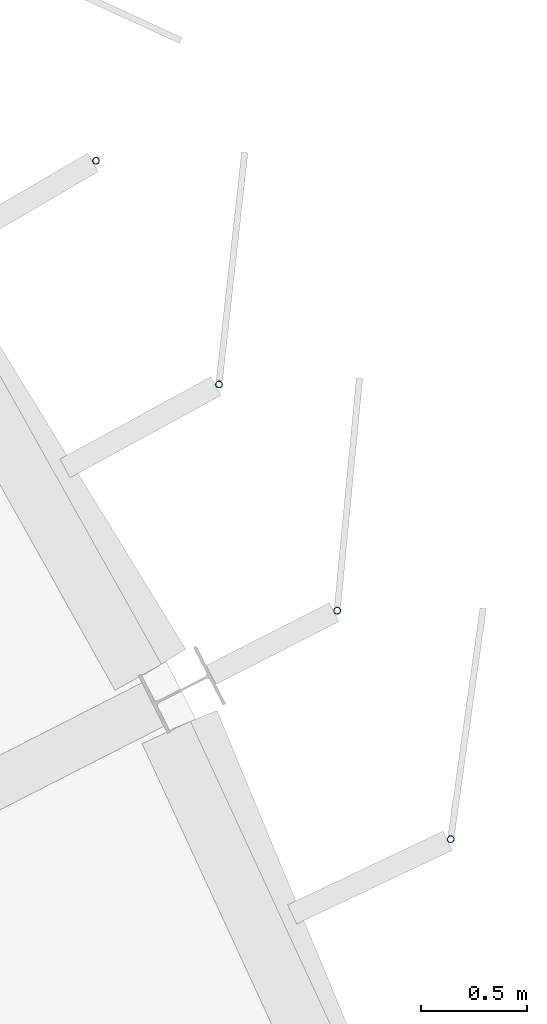
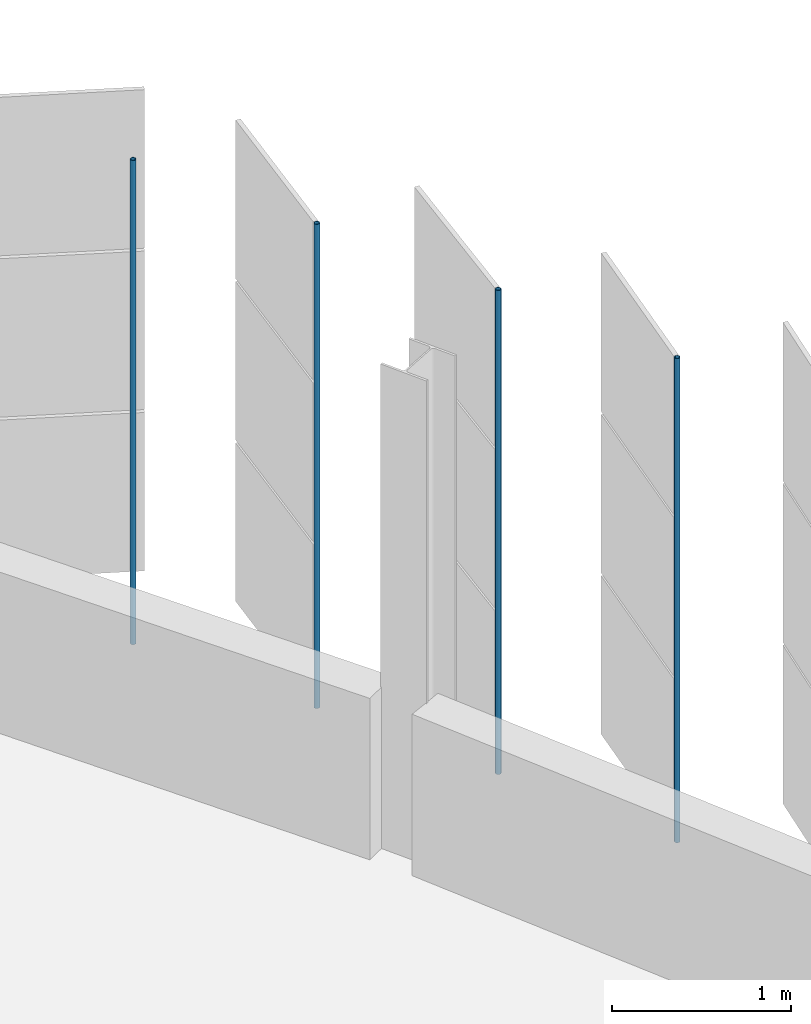
# One storey, part 126 of 199: 4 discrete accessories.
"""IFC4 building model written with IfcOpenShell, lengths in metres."""

import ifcopenshell
import ifcopenshell.guid

model = None  # the IFC model being written
_history = None  # IfcOwnerHistory: only IFC2X3 demands one
_inside = {}  # id of a spatial element -> (the spatial element, [elements in it])
_under = {}  # id of a project, library or spatial element -> (it, [spatial elements below it])
_declared = {}  # id of a project -> (the project, [libraries it declares])
_typed = {}  # id of a type object -> (the type object, [elements of that type])
_made_of = {}  # id of a material, layer set ... -> (it, [elements and type objects made of it])


def new_model(schema):
    """Start an empty IFC model of exactly this schema.

    Asked for "IFC4X3", IfcOpenShell would pick the latest addendum, in which some entities
    have other attributes; the version numbers below select the first issue.
    IFC2X3 requires an IfcOwnerHistory on every rooted entity: one is made here for all.
    """
    global model, _history
    if schema == "IFC4X3":
        model = ifcopenshell.file(schema_version=(4, 3, 0, 0))
    else:
        model = ifcopenshell.file(schema=schema)
    _inside.clear()
    _under.clear()
    _declared.clear()
    _typed.clear()
    _made_of.clear()
    _history = None
    if model.schema == "IFC2X3":
        org = make("IfcOrganization", Name="unknown")
        user = make(
            "IfcPersonAndOrganization",
            ThePerson=make("IfcPerson", FamilyName="unknown"),
            TheOrganization=org,
        )
        app = make(
            "IfcApplication",
            ApplicationDeveloper=org,
            Version="unknown",
            ApplicationFullName="unknown",
            ApplicationIdentifier="unknown",
        )
        _history = make(
            "IfcOwnerHistory",
            OwningUser=user,
            OwningApplication=app,
            ChangeAction="ADDED",
            CreationDate=0,
        )
    return model


def make(cls, **values):
    """One entity of the class cls with the attributes given. An attribute that is None is left unset."""
    return model.create_entity(
        cls, **{name: value for name, value in values.items() if value is not None}
    )


def rooted(cls, **values):
    """An entity with a GlobalId (a new one), such as an element, a storey or a relation."""
    return make(cls, GlobalId=ifcopenshell.guid.new(), OwnerHistory=_history, **values)


def si_unit(unit_type, name, prefix=None):
    """IfcSIUnit, for example si_unit("LENGTHUNIT", "METRE", prefix="MILLI")."""
    return make("IfcSIUnit", UnitType=unit_type, Prefix=prefix, Name=name)


def assignment(units):
    """IfcUnitAssignment: the units of a project."""
    return None if units is None else make("IfcUnitAssignment", Units=units)


def point(xyz):
    """IfcCartesianPoint."""
    return None if xyz is None else make("IfcCartesianPoint", Coordinates=xyz)


def direction(xyz):
    """IfcDirection."""
    return None if xyz is None else make("IfcDirection", DirectionRatios=xyz)


def frame(location, z_axis=None, x_axis=None):
    """IfcAxis2Placement3D, a coordinate frame: its origin and axes. An axis left out is left unset."""
    return make(
        "IfcAxis2Placement3D",
        Location=point(location),
        Axis=direction(z_axis),
        RefDirection=direction(x_axis),
    )


def frame_2d(location, x_axis=None):
    """IfcAxis2Placement2D, a coordinate frame in the plane: its origin and x axis."""
    return make(
        "IfcAxis2Placement2D", Location=point(location), RefDirection=direction(x_axis)
    )


def origin():
    """The frame at (0, 0, 0) with its axes left unset."""
    return frame((0.0, 0.0, 0.0))


def origin_2d():
    """The frame at (0, 0) in the plane with its x axis left unset."""
    return frame_2d((0.0, 0.0))


def place(relative_to, where):
    """IfcLocalPlacement: puts the frame where relative to a parent placement (None: the world)."""
    return make(
        "IfcLocalPlacement", PlacementRelTo=relative_to, RelativePlacement=where
    )


def context(
    kind, dimensions, precision=None, world=None, true_north=None, identifier=None
):
    """IfcGeometricRepresentationContext, for example the 3D "Model" context."""
    return make(
        "IfcGeometricRepresentationContext",
        ContextIdentifier=identifier,
        ContextType=kind,
        CoordinateSpaceDimension=dimensions,
        Precision=precision,
        WorldCoordinateSystem=world,
        TrueNorth=true_north,
    )


def subcontext(parent, identifier, kind, view, scale=None):
    """IfcGeometricRepresentationSubContext, for example "Body" below "Model"."""
    return make(
        "IfcGeometricRepresentationSubContext",
        ContextIdentifier=identifier,
        ContextType=kind,
        ParentContext=parent,
        TargetScale=scale,
        TargetView=view,
    )


def project(units=None, contexts=None):
    """IfcProject with its units and contexts."""
    return rooted(
        "IfcProject",
        Name="project",
        RepresentationContexts=contexts,
        UnitsInContext=assignment(units),
    )


def spatial(cls, under=None, at=None, **own):
    """A site, building, storey or space (cls), placed at a placement, below another one or the project."""
    s = rooted(cls, ObjectPlacement=at, **own)
    if under is not None:
        _under.setdefault(under.id(), (under, []))[1].append(s)
    return s


def profile(cls, at=None, kind="AREA", **sizes):
    """A parametric profile (cls). Its sizes go by their IFC names, for example OverallWidth=200.0."""
    return make(cls, ProfileType=kind, Position=at, **sizes)


def hollow_circle(**sizes):
    """IfcCircleHollowProfileDef."""
    return profile("IfcCircleHollowProfileDef", **sizes)


def extrude(swept, where, along, depth):
    """IfcExtrudedAreaSolid: the profile swept, set in the frame where, extruded along a direction by depth."""
    return make(
        "IfcExtrudedAreaSolid",
        SweptArea=swept,
        Position=where,
        ExtrudedDirection=direction(along),
        Depth=depth,
    )


def shape(context_of_items, identifier, shape_type, items):
    """IfcShapeRepresentation: the items that make up one representation, for example the "Body"."""
    return make(
        "IfcShapeRepresentation",
        ContextOfItems=context_of_items,
        RepresentationIdentifier=identifier,
        RepresentationType=shape_type,
        Items=items,
    )


def material(Name=None, Category=None):
    """IfcMaterial."""
    return make("IfcMaterial", Name=Name, Category=Category)


def material_profile(
    of_material, cross_section, Name=None, Category=None, Priority=None
):
    """IfcMaterialProfile: a cross section and its material."""
    return make(
        "IfcMaterialProfile",
        Name=Name,
        Material=of_material,
        Profile=cross_section,
        Priority=Priority,
        Category=Category,
    )


def profile_set(profiles, Name=None, composite=None):
    """IfcMaterialProfileSet."""
    return make(
        "IfcMaterialProfileSet",
        Name=Name,
        MaterialProfiles=profiles,
        CompositeProfile=composite,
    )


def made_of(thing, what):
    """Note that an element or type object is made of a material, layer set ...; save() writes the relation."""
    if what is not None:
        _made_of.setdefault(what.id(), (what, []))[1].append(thing)
    return thing


def type_object(cls, material=None, **own):
    """A type object (cls), such as IfcWallType, which elements share."""
    return made_of(rooted(cls, **own), material)


def element(
    cls,
    number,
    at=None,
    inside=None,
    cuts=None,
    type_object=None,
    material=None,
    context=None,
    identifier="Body",
    shape_type=None,
    held_by="IfcProductDefinitionShape",
    body=None,
    shapes=None,
    **own,
):
    """One element of the class cls, such as IfcWall. Its Tag is "e" and its number.

    at: its placement. inside: the storey or other place that contains it. cuts: it is an
    opening in that element (IfcRelVoidsElement). A single representation is given by context,
    identifier, shape_type and body (its items); several are given by shapes. held_by: the class
    of the entity that holds the representations. save() writes the other relations.
    """
    e = rooted(cls, Tag="e%d" % number, ObjectPlacement=at, **own)
    if body is not None:
        shapes = [shape(context, identifier, shape_type, body)]
    if shapes is not None:
        e.Representation = make(held_by, Representations=shapes)
    if inside is not None:
        _inside.setdefault(inside.id(), (inside, []))[1].append(e)
    if cuts is not None:
        rooted(
            "IfcRelVoidsElement", RelatingBuildingElement=cuts, RelatedOpeningElement=e
        )
    if type_object is not None:
        _typed.setdefault(type_object.id(), (type_object, []))[1].append(e)
    return made_of(e, material)


def aggregate(whole, parts):
    """IfcRelAggregates: a whole, such as a stair, and the parts it consists of."""
    return rooted("IfcRelAggregates", RelatingObject=whole, RelatedObjects=parts)


def save(model, path):
    """Write the relations noted so far, then the file.

    IfcRelAggregates (storeys below a building ...), IfcRelContainedInSpatialStructure (elements
    in a storey), IfcRelDefinesByType, IfcRelAssociatesMaterial and IfcRelDeclares: one each for
    every whole, place, type object, material and project.
    """
    for whole, parts in _under.values():
        aggregate(whole, parts)
    for where, things in _inside.values():
        rooted(
            "IfcRelContainedInSpatialStructure",
            RelatedElements=things,
            RelatingStructure=where,
        )
    for kind, things in _typed.values():
        rooted("IfcRelDefinesByType", RelatedObjects=things, RelatingType=kind)
    for what, things in _made_of.values():
        rooted("IfcRelAssociatesMaterial", RelatedObjects=things, RelatingMaterial=what)
    for by, libraries in _declared.values():
        rooted("IfcRelDeclares", RelatingContext=by, RelatedDefinitions=libraries)
    model.write(path)


model = new_model("IFC4")

# Units and contexts
model_context = context("Model", 3, precision=1e-05, world=origin(), true_north=direction((0.0, 1.0)))
body_context = subcontext(model_context, "Body", "Model", "MODEL_VIEW")
ifc_project = project(units=[si_unit("LENGTHUNIT", "METRE"), si_unit("AREAUNIT", "SQUARE_METRE"), si_unit("VOLUMEUNIT", "CUBIC_METRE"), si_unit("PLANEANGLEUNIT", "RADIAN"), si_unit("MASSUNIT", "GRAM", prefix="KILO")], contexts=[model_context])

# Site, building, storey
site_placement = place(None, origin())
site = spatial("IfcSite", under=ifc_project, at=site_placement, CompositionType="ELEMENT")
building_placement = place(site_placement, origin())
building = spatial("IfcBuilding", under=site, at=building_placement, Name="Parallax Yard Mobility Hub", CompositionType="ELEMENT")
storey_placement = place(building_placement, frame((0.0, 0.0, 9.89990234375)))
storey = spatial("IfcBuildingStorey", under=building, at=storey_placement, Name="L03", CompositionType="ELEMENT", Elevation=9.89990234375)

# Discrete accessories
ifc_material = material(Name="Steel ASTM A500 Gr C, hot-dip galvanised", Category="steel")
ifc_material_profile = material_profile(ifc_material, hollow_circle(Radius=0.016845703125, WallThickness=0.003173828125, at=origin_2d()), Name="CHS 33.7x3.2")
ifc_profile_set = profile_set([ifc_material_profile], Name="Steel ASTM A500 Gr C, hot-dip galvanised")
discrete_accessory_type = type_object("IfcDiscreteAccessoryType", Name="Hinge post CHS 33.7x3.2", PredefinedType="BRACKET", material=ifc_profile_set)
for number, where, z_axis, x_axis, name in (
    (1, (220.54052734375, 113.131591796875, 0.0), (0.0, 0.0, 1.0), (1.0, 0.0, 0.0), "Hinge post bay 43.7 level L03"),
    (2, (220.007080078125, 114.2060546875, 0.0), (0.0, 0.0, 1.0), (1.0, 0.0, 0.0), "Hinge post bay 44.1 level L03"),
    (3, (219.451416015625, 115.269287109375, 0.0), (0.0, 0.0, 1.0), (1.0, 0.0, 0.0), "Hinge post bay 44.2 level L03"),
    (4, (218.87353515625, 116.320556640625, 0.0), (0.0, 0.0, 1.0), (1.0, 0.0, 0.0), "Hinge post bay 44.3 level L03"),
):
    element("IfcDiscreteAccessory", number, at=place(storey_placement, frame(where, z_axis=z_axis, x_axis=x_axis)), inside=storey, type_object=discrete_accessory_type, Name=name, PredefinedType="BRACKET", context=body_context, shape_type="SweptSolid", body=[
        extrude(hollow_circle(Radius=0.016845703125, WallThickness=0.003173828125, at=origin_2d()), origin(), (0.0, 0.0, 1.0), 3.300048828125),
    ])

save(model, "model.ifc")
